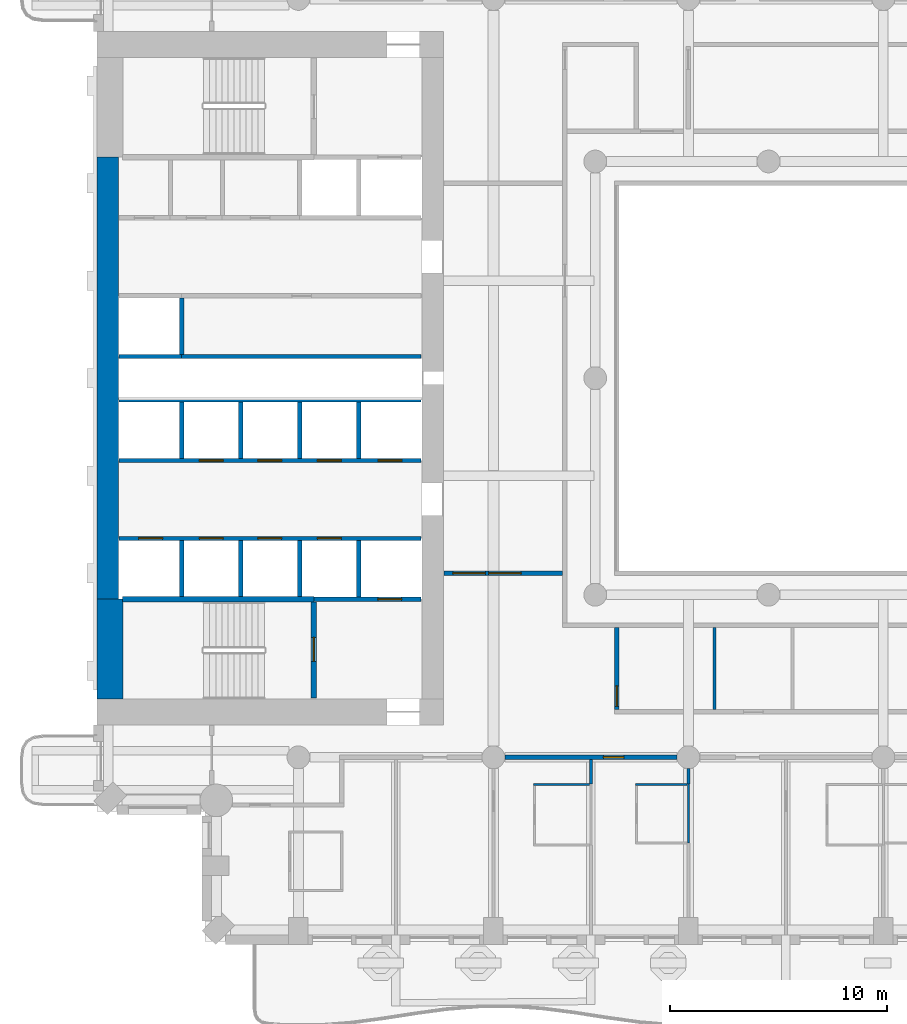
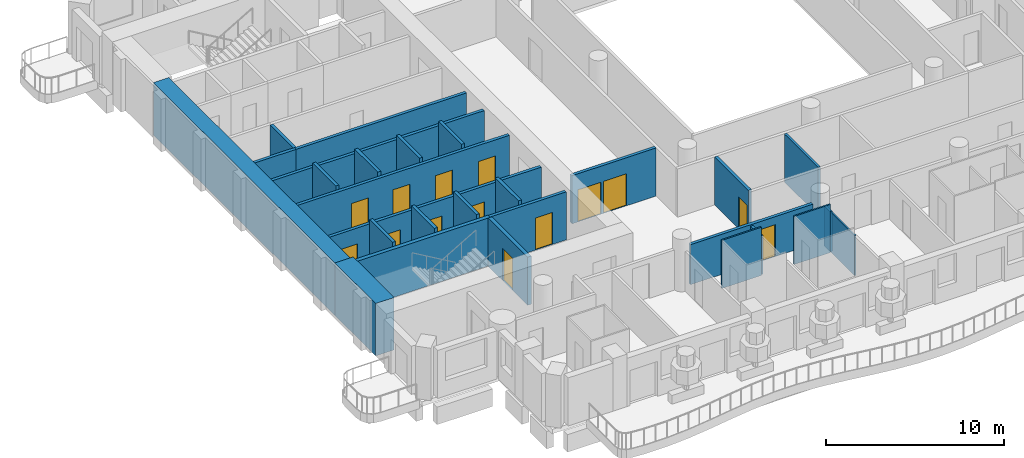
# One storey, part 4 of 20: 28 walls, 14 doors, 14 openings.
"""IFC4 building model written with IfcOpenShell, lengths in metres."""

import ifcopenshell
import ifcopenshell.guid

model = None  # the IFC model being written
_history = None  # IfcOwnerHistory: only IFC2X3 demands one
_inside = {}  # id of a spatial element -> (the spatial element, [elements in it])
_under = {}  # id of a project, library or spatial element -> (it, [spatial elements below it])
_declared = {}  # id of a project -> (the project, [libraries it declares])
_typed = {}  # id of a type object -> (the type object, [elements of that type])
_made_of = {}  # id of a material, layer set ... -> (it, [elements and type objects made of it])


def new_model(schema):
    """Start an empty IFC model of exactly this schema.

    Asked for "IFC4X3", IfcOpenShell would pick the latest addendum, in which some entities
    have other attributes; the version numbers below select the first issue.
    IFC2X3 requires an IfcOwnerHistory on every rooted entity: one is made here for all.
    """
    global model, _history
    if schema == "IFC4X3":
        model = ifcopenshell.file(schema_version=(4, 3, 0, 0))
    else:
        model = ifcopenshell.file(schema=schema)
    _inside.clear()
    _under.clear()
    _declared.clear()
    _typed.clear()
    _made_of.clear()
    _history = None
    if model.schema == "IFC2X3":
        org = make("IfcOrganization", Name="unknown")
        user = make(
            "IfcPersonAndOrganization",
            ThePerson=make("IfcPerson", FamilyName="unknown"),
            TheOrganization=org,
        )
        app = make(
            "IfcApplication",
            ApplicationDeveloper=org,
            Version="unknown",
            ApplicationFullName="unknown",
            ApplicationIdentifier="unknown",
        )
        _history = make(
            "IfcOwnerHistory",
            OwningUser=user,
            OwningApplication=app,
            ChangeAction="ADDED",
            CreationDate=0,
        )
    return model


def make(cls, **values):
    """One entity of the class cls with the attributes given. An attribute that is None is left unset."""
    return model.create_entity(
        cls, **{name: value for name, value in values.items() if value is not None}
    )


def rooted(cls, **values):
    """An entity with a GlobalId (a new one), such as an element, a storey or a relation."""
    return make(cls, GlobalId=ifcopenshell.guid.new(), OwnerHistory=_history, **values)


def si_unit(unit_type, name, prefix=None):
    """IfcSIUnit, for example si_unit("LENGTHUNIT", "METRE", prefix="MILLI")."""
    return make("IfcSIUnit", UnitType=unit_type, Prefix=prefix, Name=name)


def assignment(units):
    """IfcUnitAssignment: the units of a project."""
    return None if units is None else make("IfcUnitAssignment", Units=units)


def point(xyz):
    """IfcCartesianPoint."""
    return None if xyz is None else make("IfcCartesianPoint", Coordinates=xyz)


def direction(xyz):
    """IfcDirection."""
    return None if xyz is None else make("IfcDirection", DirectionRatios=xyz)


def frame(location, z_axis=None, x_axis=None):
    """IfcAxis2Placement3D, a coordinate frame: its origin and axes. An axis left out is left unset."""
    return make(
        "IfcAxis2Placement3D",
        Location=point(location),
        Axis=direction(z_axis),
        RefDirection=direction(x_axis),
    )


def frame_2d(location, x_axis=None):
    """IfcAxis2Placement2D, a coordinate frame in the plane: its origin and x axis."""
    return make(
        "IfcAxis2Placement2D", Location=point(location), RefDirection=direction(x_axis)
    )


def origin():
    """The frame at (0, 0, 0) with its axes left unset."""
    return frame((0.0, 0.0, 0.0))


def place(relative_to, where):
    """IfcLocalPlacement: puts the frame where relative to a parent placement (None: the world)."""
    return make(
        "IfcLocalPlacement", PlacementRelTo=relative_to, RelativePlacement=where
    )


def context(
    kind, dimensions, precision=None, world=None, true_north=None, identifier=None
):
    """IfcGeometricRepresentationContext, for example the 3D "Model" context."""
    return make(
        "IfcGeometricRepresentationContext",
        ContextIdentifier=identifier,
        ContextType=kind,
        CoordinateSpaceDimension=dimensions,
        Precision=precision,
        WorldCoordinateSystem=world,
        TrueNorth=true_north,
    )


def subcontext(parent, identifier, kind, view, scale=None):
    """IfcGeometricRepresentationSubContext, for example "Body" below "Model"."""
    return make(
        "IfcGeometricRepresentationSubContext",
        ContextIdentifier=identifier,
        ContextType=kind,
        ParentContext=parent,
        TargetScale=scale,
        TargetView=view,
    )


def project(units=None, contexts=None):
    """IfcProject with its units and contexts."""
    return rooted(
        "IfcProject",
        Name="project",
        RepresentationContexts=contexts,
        UnitsInContext=assignment(units),
    )


def spatial(cls, under=None, at=None, **own):
    """A site, building, storey or space (cls), placed at a placement, below another one or the project."""
    s = rooted(cls, ObjectPlacement=at, **own)
    if under is not None:
        _under.setdefault(under.id(), (under, []))[1].append(s)
    return s


def profile(cls, at=None, kind="AREA", **sizes):
    """A parametric profile (cls). Its sizes go by their IFC names, for example OverallWidth=200.0."""
    return make(cls, ProfileType=kind, Position=at, **sizes)


def rectangle(**sizes):
    """IfcRectangleProfileDef."""
    return profile("IfcRectangleProfileDef", **sizes)


def extrude(swept, where, along, depth):
    """IfcExtrudedAreaSolid: the profile swept, set in the frame where, extruded along a direction by depth."""
    return make(
        "IfcExtrudedAreaSolid",
        SweptArea=swept,
        Position=where,
        ExtrudedDirection=direction(along),
        Depth=depth,
    )


def shape(context_of_items, identifier, shape_type, items):
    """IfcShapeRepresentation: the items that make up one representation, for example the "Body"."""
    return make(
        "IfcShapeRepresentation",
        ContextOfItems=context_of_items,
        RepresentationIdentifier=identifier,
        RepresentationType=shape_type,
        Items=items,
    )


def material(Name=None, Category=None):
    """IfcMaterial."""
    return make("IfcMaterial", Name=Name, Category=Category)


def layer(
    of_material, thickness, ventilated=None, Name=None, Category=None, Priority=None
):
    """IfcMaterialLayer: one layer of a wall or slab, of a material (None: an air gap)."""
    return make(
        "IfcMaterialLayer",
        Material=of_material,
        LayerThickness=thickness,
        IsVentilated=ventilated,
        Name=Name,
        Category=Category,
        Priority=Priority,
    )


def layer_set(layers, Name=None):
    """IfcMaterialLayerSet."""
    return make("IfcMaterialLayerSet", MaterialLayers=layers, LayerSetName=Name)


def made_of(thing, what):
    """Note that an element or type object is made of a material, layer set ...; save() writes the relation."""
    if what is not None:
        _made_of.setdefault(what.id(), (what, []))[1].append(thing)
    return thing


def type_object(cls, material=None, **own):
    """A type object (cls), such as IfcWallType, which elements share."""
    return made_of(rooted(cls, **own), material)


def element(
    cls,
    number,
    at=None,
    inside=None,
    cuts=None,
    type_object=None,
    material=None,
    context=None,
    identifier="Body",
    shape_type=None,
    held_by="IfcProductDefinitionShape",
    body=None,
    shapes=None,
    **own,
):
    """One element of the class cls, such as IfcWall. Its Tag is "e" and its number.

    at: its placement. inside: the storey or other place that contains it. cuts: it is an
    opening in that element (IfcRelVoidsElement). A single representation is given by context,
    identifier, shape_type and body (its items); several are given by shapes. held_by: the class
    of the entity that holds the representations. save() writes the other relations.
    """
    e = rooted(cls, Tag="e%d" % number, ObjectPlacement=at, **own)
    if body is not None:
        shapes = [shape(context, identifier, shape_type, body)]
    if shapes is not None:
        e.Representation = make(held_by, Representations=shapes)
    if inside is not None:
        _inside.setdefault(inside.id(), (inside, []))[1].append(e)
    if cuts is not None:
        rooted(
            "IfcRelVoidsElement", RelatingBuildingElement=cuts, RelatedOpeningElement=e
        )
    if type_object is not None:
        _typed.setdefault(type_object.id(), (type_object, []))[1].append(e)
    return made_of(e, material)


def fill(opening, filler):
    """IfcRelFillsElement: the door or window that sits in an opening."""
    return rooted(
        "IfcRelFillsElement",
        RelatingOpeningElement=opening,
        RelatedBuildingElement=filler,
    )


def aggregate(whole, parts):
    """IfcRelAggregates: a whole, such as a stair, and the parts it consists of."""
    return rooted("IfcRelAggregates", RelatingObject=whole, RelatedObjects=parts)


def save(model, path):
    """Write the relations noted so far, then the file.

    IfcRelAggregates (storeys below a building ...), IfcRelContainedInSpatialStructure (elements
    in a storey), IfcRelDefinesByType, IfcRelAssociatesMaterial and IfcRelDeclares: one each for
    every whole, place, type object, material and project.
    """
    for whole, parts in _under.values():
        aggregate(whole, parts)
    for where, things in _inside.values():
        rooted(
            "IfcRelContainedInSpatialStructure",
            RelatedElements=things,
            RelatingStructure=where,
        )
    for kind, things in _typed.values():
        rooted("IfcRelDefinesByType", RelatedObjects=things, RelatingType=kind)
    for what, things in _made_of.values():
        rooted("IfcRelAssociatesMaterial", RelatedObjects=things, RelatingMaterial=what)
    for by, libraries in _declared.values():
        rooted("IfcRelDeclares", RelatingContext=by, RelatedDefinitions=libraries)
    model.write(path)


model = new_model("IFC4")

# Units and contexts
model_context = context("Model", 3, precision=1e-05, world=origin(), true_north=direction((0.0, 1.0)))
body_context = subcontext(model_context, "Body", "Model", "MODEL_VIEW")
ifc_project = project(units=[si_unit("LENGTHUNIT", "METRE"), si_unit("AREAUNIT", "SQUARE_METRE"), si_unit("VOLUMEUNIT", "CUBIC_METRE"), si_unit("PLANEANGLEUNIT", "RADIAN"), si_unit("MASSUNIT", "GRAM", prefix="KILO")], contexts=[model_context])

# Site, building, storey
site_placement = place(None, origin())
site = spatial("IfcSite", under=ifc_project, at=site_placement, CompositionType="ELEMENT")
building_placement = place(site_placement, origin())
building = spatial("IfcBuilding", under=site, at=building_placement, Name="Cypress Arch Tower", CompositionType="ELEMENT")
storey_placement = place(building_placement, frame((0.0, 0.0, 116.699951171875)))
storey = spatial("IfcBuildingStorey", under=building, at=storey_placement, Name="L24", CompositionType="ELEMENT", Elevation=116.699951171875)

# Walls
ifc_material_1 = material(Name="Concrete C80/95", Category="concrete")
ifc_layer_1 = layer(ifc_material_1, 1.0)
ifc_layer_set_1 = layer_set([ifc_layer_1], Name="Core wall CW1000 C80/95")
wall_type_1 = type_object("IfcWallType", Name="Core wall CW1000 C80/95", PredefinedType="SHEAR", material=ifc_layer_set_1)
wall_1_placement = place(storey_placement, frame((-29.5, -10.199951171875, 0.0), z_axis=(0.0, 0.0, 1.0), x_axis=(0.0, 1.0, 0.0)))
element("IfcWall", 1, at=wall_1_placement, inside=storey, type_object=wall_type_1, Name="Core wall", PredefinedType="SHEAR", context=body_context, shape_type="SweptSolid", body=[
    extrude(rectangle(XDim=20.39990234375, YDim=1.0, at=frame_2d((10.199951171875, 0.0))), origin(), (0.0, 0.0, 1.0), 3.60009765625),
])
ifc_material_2 = material(Name="Concrete C80/95", Category="concrete")
ifc_layer_2 = layer(ifc_material_2, 1.199951171875)
ifc_layer_set_2 = layer_set([ifc_layer_2], Name="Core wall CW1200 C80/95")
wall_type_2 = type_object("IfcWallType", Name="Core wall CW1200 C80/95", PredefinedType="SHEAR", material=ifc_layer_set_2)
wall_2_placement = place(storey_placement, frame((-29.39990234375, -14.800048828125, 0.0), z_axis=(0.0, 0.0, 1.0), x_axis=(0.0, 1.0, 0.0)))
element("IfcWall", 2, at=wall_2_placement, inside=storey, type_object=wall_type_2, Name="Core wall", PredefinedType="SHEAR", context=body_context, shape_type="SweptSolid", body=[
    extrude(rectangle(XDim=4.60009765625, YDim=1.199951171875, at=frame_2d((2.300048828125, 0.0))), origin(), (0.0, 0.0, 1.0), 3.60009765625),
])

# Wall, opening, door
ifc_material_3 = material(Name="Concrete blockwork, plastered, rated", Category="masonry")
ifc_layer_3 = layer(ifc_material_3, 0.199951171875)
ifc_layer_set_3 = layer_set([ifc_layer_3], Name="Corridor wall FW200")
wall_type_3 = type_object("IfcWallType", Name="Corridor wall FW200", PredefinedType="PARTITIONING", material=ifc_layer_set_3)
wall_3_placement = place(storey_placement, frame((-11.175048828125, -17.5, 0.0), z_axis=(0.0, 0.0, 1.0), x_axis=(1.0, 0.0, 0.0)))
wall_3 = element("IfcWall", 3, at=wall_3_placement, inside=storey, type_object=wall_type_3, Name="Corridor wall", PredefinedType="PARTITIONING", context=body_context, shape_type="SweptSolid", body=[
    extrude(rectangle(XDim=7.949951171875, YDim=0.199951171875, at=frame_2d((3.97509765625, 0.0))), origin(), (0.0, 0.0, 1.0), 2.75),
])
opening_1_placement = place(wall_3_placement, frame((4.550048828125, 0.0, 0.0)))
opening_1 = element("IfcOpeningElement", 4, at=opening_1_placement, cuts=wall_3, Name="Opening D02", PredefinedType="OPENING", context=body_context, shape_type="SweptSolid", body=[
    extrude(rectangle(XDim=0.949951171875, YDim=2.199951171875, at=frame_2d((0.47509765625, 1.10009765625))), frame((0.0, 0.10986328125, 0.0), z_axis=(0.0, -1.0, 0.0), x_axis=(1.0, 0.0, 0.0)), (0.0, 0.0, 1.0), 0.219970703125),
])
ifc_material_4 = material(Name="Timber flush door, fire resisting", Category="wood")
door_type_1 = type_object("IfcDoorType", Name="Room door D02 950x2200", OperationType="SINGLE_SWING_LEFT", PredefinedType="DOOR", material=ifc_material_4)
door_1_placement = place(opening_1_placement, origin())
door_1 = element("IfcDoor", 5, at=door_1_placement, inside=storey, type_object=door_type_1, Name="Room door", OperationType="SINGLE_SWING_RIGHT", OverallHeight=2.199951171875, OverallWidth=0.949951171875, PredefinedType="DOOR", context=body_context, shape_type="SweptSolid", body=[
    extrude(rectangle(XDim=0.949951171875, YDim=2.199951171875, at=frame_2d((0.47509765625, 1.10009765625))), frame((0.0, 0.02490234375, 0.0), z_axis=(0.0, -1.0, 0.0), x_axis=(1.0, 0.0, 0.0)), (0.0, 0.0, 1.0), 0.050048828125),
])
fill(opening_1, door_1)

# Wall, openings, doors
wall_4_placement = place(storey_placement, frame((-13.969970703125, -9.0, 0.0), z_axis=(0.0, 0.0, 1.0), x_axis=(1.0, 0.0, 0.0)))
wall_4 = element("IfcWall", 6, at=wall_4_placement, inside=storey, type_object=wall_type_3, Name="Corridor wall", PredefinedType="PARTITIONING", context=body_context, shape_type="SweptSolid", body=[
    extrude(rectangle(XDim=5.469970703125, YDim=0.199951171875, at=frame_2d((2.73486328125, 0.0))), origin(), (0.0, 0.0, 1.0), 3.300048828125),
])
opening_2_placement = place(wall_4_placement, frame((0.39990234375, 0.0, 0.0)))
opening_2 = element("IfcOpeningElement", 7, at=opening_2_placement, cuts=wall_4, Name="Opening D04", PredefinedType="OPENING", context=body_context, shape_type="SweptSolid", body=[
    extrude(rectangle(XDim=1.5, YDim=2.199951171875, at=frame_2d((0.75, 1.10009765625))), frame((0.0, 0.10986328125, 0.0), z_axis=(0.0, -1.0, 0.0), x_axis=(1.0, 0.0, 0.0)), (0.0, 0.0, 1.0), 0.219970703125),
])
opening_3_placement = place(wall_4_placement, frame((2.050048828125, 0.0, 0.0)))
opening_3 = element("IfcOpeningElement", 8, at=opening_3_placement, cuts=wall_4, Name="Opening D04", PredefinedType="OPENING", context=body_context, shape_type="SweptSolid", body=[
    extrude(rectangle(XDim=1.5, YDim=2.199951171875, at=frame_2d((0.75, 1.10009765625))), frame((0.0, 0.10986328125, 0.0), z_axis=(0.0, -1.0, 0.0), x_axis=(1.0, 0.0, 0.0)), (0.0, 0.0, 1.0), 0.219970703125),
])
ifc_material_5 = material(Name="Timber double door", Category="wood")
door_type_2 = type_object("IfcDoorType", Name="Double door D04 1500x2200", OperationType="DOUBLE_DOOR_SINGLE_SWING", PredefinedType="DOOR", material=ifc_material_5)
door_2_placement = place(opening_2_placement, origin())
door_2 = element("IfcDoor", 9, at=door_2_placement, inside=storey, type_object=door_type_2, Name="Double door", OperationType="DOUBLE_DOOR_SINGLE_SWING", OverallHeight=2.199951171875, OverallWidth=1.5, PredefinedType="DOOR", context=body_context, shape_type="SweptSolid", body=[
    extrude(rectangle(XDim=1.5, YDim=2.199951171875, at=frame_2d((0.75, 1.10009765625))), frame((0.0, 0.02490234375, 0.0), z_axis=(0.0, -1.0, 0.0), x_axis=(1.0, 0.0, 0.0)), (0.0, 0.0, 1.0), 0.050048828125),
])
fill(opening_2, door_2)
door_3_placement = place(opening_3_placement, origin())
door_3 = element("IfcDoor", 10, at=door_3_placement, inside=storey, type_object=door_type_2, Name="Double door", OperationType="DOUBLE_DOOR_SINGLE_SWING", OverallHeight=2.199951171875, OverallWidth=1.5, PredefinedType="DOOR", context=body_context, shape_type="SweptSolid", body=[
    extrude(rectangle(XDim=1.5, YDim=2.199951171875, at=frame_2d((0.75, 1.10009765625))), frame((0.0, 0.02490234375, 0.0), z_axis=(0.0, -1.0, 0.0), x_axis=(1.0, 0.0, 0.0)), (0.0, 0.0, 1.0), 0.050048828125),
])
fill(opening_3, door_3)

# Wall, opening, door
wall_5_placement = place(storey_placement, frame((-6.0, -15.300048828125, 0.0), z_axis=(0.0, 0.0, 1.0), x_axis=(0.0, 1.0, 0.0)))
wall_5 = element("IfcWall", 11, at=wall_5_placement, inside=storey, type_object=wall_type_3, Name="Corridor wall", PredefinedType="PARTITIONING", context=body_context, shape_type="SweptSolid", body=[
    extrude(rectangle(XDim=3.800048828125, YDim=0.199951171875, at=frame_2d((1.89990234375, 0.0))), origin(), (0.0, 0.0, 1.0), 3.300048828125),
])
opening_4_placement = place(wall_5_placement, frame((0.14990234375, 0.0, 0.0)))
opening_4 = element("IfcOpeningElement", 12, at=opening_4_placement, cuts=wall_5, Name="Opening D02", PredefinedType="OPENING", context=body_context, shape_type="SweptSolid", body=[
    extrude(rectangle(XDim=0.949951171875, YDim=2.199951171875, at=frame_2d((0.47509765625, 1.10009765625))), frame((0.0, 0.10986328125, 0.0), z_axis=(0.0, -1.0, 0.0), x_axis=(1.0, 0.0, 0.0)), (0.0, 0.0, 1.0), 0.219970703125),
])
door_4_placement = place(opening_4_placement, origin())
door_4 = element("IfcDoor", 13, at=door_4_placement, inside=storey, type_object=door_type_1, Name="Room door", OperationType="SINGLE_SWING_RIGHT", OverallHeight=2.199951171875, OverallWidth=0.949951171875, PredefinedType="DOOR", context=body_context, shape_type="SweptSolid", body=[
    extrude(rectangle(XDim=0.949951171875, YDim=2.199951171875, at=frame_2d((0.47509765625, 1.10009765625))), frame((0.0, 0.02490234375, 0.0), z_axis=(0.0, -1.0, 0.0), x_axis=(1.0, 0.0, 0.0)), (0.0, 0.0, 1.0), 0.050048828125),
])
fill(opening_4, door_4)

# Walls
ifc_material_6 = material(Name="Blockwork, plastered both sides", Category="masonry")
ifc_layer_4 = layer(ifc_material_6, 0.14990234375)
ifc_layer_set_4 = layer_set([ifc_layer_4], Name="Partition PW150")
wall_type_4 = type_object("IfcWallType", Name="Partition PW150", PredefinedType="PARTITIONING", material=ifc_layer_set_4)
wall_6_placement = place(storey_placement, frame((-7.199951171875, -18.72998046875, 0.0), z_axis=(0.0, 0.0, 1.0), x_axis=(0.0, 1.0, 0.0)))
element("IfcWall", 14, at=wall_6_placement, inside=storey, type_object=wall_type_4, Name="Partition", PredefinedType="PARTITIONING", context=body_context, shape_type="SweptSolid", body=[
    extrude(rectangle(XDim=1.1298828125, YDim=0.14990234375, at=frame_2d((0.56494140625, 0.0))), origin(), (0.0, 0.0, 1.0), 2.650146484375),
])
wall_7_placement = place(storey_placement, frame((-2.699951171875, -18.72998046875, 0.0), z_axis=(0.0, 0.0, 1.0), x_axis=(0.0, 1.0, 0.0)))
element("IfcWall", 15, at=wall_7_placement, inside=storey, type_object=wall_type_4, Name="Partition", PredefinedType="PARTITIONING", context=body_context, shape_type="SweptSolid", body=[
    extrude(rectangle(XDim=0.705078125, YDim=0.14990234375, at=frame_2d((0.3525390625, 0.0))), origin(), (0.0, 0.0, 1.0), 2.75),
])
wall_8_placement = place(storey_placement, frame((-1.5, -15.300048828125, 0.0), z_axis=(0.0, 0.0, 1.0), x_axis=(0.0, 1.0, 0.0)))
element("IfcWall", 16, at=wall_8_placement, inside=storey, type_object=wall_type_4, Name="Partition", PredefinedType="PARTITIONING", context=body_context, shape_type="SweptSolid", body=[
    extrude(rectangle(XDim=3.800048828125, YDim=0.14990234375, at=frame_2d((1.89990234375, 0.0))), origin(), (0.0, 0.0, 1.0), 3.300048828125),
])
ifc_material_7 = material(Name="Reinforced blockwork, plastered, rated", Category="masonry")
ifc_layer_5 = layer(ifc_material_7, 0.199951171875)
ifc_layer_set_5 = layer_set([ifc_layer_5], Name="Plant and riser wall PL200")
wall_type_5 = type_object("IfcWallType", Name="Plant and riser wall PL200", PredefinedType="PARTITIONING", material=ifc_layer_set_5)
wall_9_placement = place(storey_placement, frame((-26.10009765625, 1.0, 0.0), z_axis=(0.0, 0.0, 1.0), x_axis=(1.0, 0.0, 0.0)))
element("IfcWall", 17, at=wall_9_placement, inside=storey, type_object=wall_type_5, Name="Plant and riser wall", PredefinedType="PARTITIONING", context=body_context, shape_type="SweptSolid", body=[
    extrude(rectangle(XDim=11.070068359375, YDim=0.199951171875, at=frame_2d((5.53515625, 0.0))), origin(), (0.0, 0.0, 1.0), 3.300048828125),
])

# Wall, openings, doors
ifc_material_8 = material(Name="Concrete C50/60", Category="concrete")
ifc_layer_6 = layer(ifc_material_8, 0.199951171875)
ifc_layer_set_6 = layer_set([ifc_layer_6], Name="Shaft wall SH200")
wall_type_6 = type_object("IfcWallType", Name="Shaft wall SH200", PredefinedType="SHEAR", material=ifc_layer_set_6)
wall_10_placement = place(storey_placement, frame((-28.969970703125, -7.39990234375, 0.0), z_axis=(0.0, 0.0, 1.0), x_axis=(1.0, 0.0, 0.0)))
wall_10 = element("IfcWall", 18, at=wall_10_placement, inside=storey, type_object=wall_type_6, Name="Shaft wall", PredefinedType="SHEAR", context=body_context, shape_type="SweptSolid", body=[
    extrude(rectangle(XDim=13.93994140625, YDim=0.199951171875, at=frame_2d((6.969970703125, 0.0))), origin(), (0.0, 0.0, 1.0), 3.300048828125),
])
opening_5_placement = place(wall_10_placement, frame((0.89990234375, 0.0, 0.0)))
opening_5 = element("IfcOpeningElement", 19, at=opening_5_placement, cuts=wall_10, Name="Opening LD-LR1", PredefinedType="OPENING", context=body_context, shape_type="SweptSolid", body=[
    extrude(rectangle(XDim=1.10009765625, YDim=2.199951171875, at=frame_2d((0.550048828125, 1.10009765625))), frame((0.0, 0.10986328125, 0.0), z_axis=(0.0, -1.0, 0.0), x_axis=(1.0, 0.0, 0.0)), (0.0, 0.0, 1.0), 0.219970703125),
])
opening_6_placement = place(wall_10_placement, frame((3.699951171875, 0.0, 0.0)))
opening_6 = element("IfcOpeningElement", 20, at=opening_6_placement, cuts=wall_10, Name="Opening LD-LR2", PredefinedType="OPENING", context=body_context, shape_type="SweptSolid", body=[
    extrude(rectangle(XDim=1.10009765625, YDim=2.199951171875, at=frame_2d((0.550048828125, 1.10009765625))), frame((0.0, 0.10986328125, 0.0), z_axis=(0.0, -1.0, 0.0), x_axis=(1.0, 0.0, 0.0)), (0.0, 0.0, 1.0), 0.219970703125),
])
opening_7_placement = place(wall_10_placement, frame((6.39990234375, 0.0, 0.0)))
opening_7 = element("IfcOpeningElement", 21, at=opening_7_placement, cuts=wall_10, Name="Opening LD-LR3", PredefinedType="OPENING", context=body_context, shape_type="SweptSolid", body=[
    extrude(rectangle(XDim=1.10009765625, YDim=2.199951171875, at=frame_2d((0.550048828125, 1.10009765625))), frame((0.0, 0.10986328125, 0.0), z_axis=(0.0, -1.0, 0.0), x_axis=(1.0, 0.0, 0.0)), (0.0, 0.0, 1.0), 0.219970703125),
])
opening_8_placement = place(wall_10_placement, frame((9.14990234375, 0.0, 0.0)))
opening_8 = element("IfcOpeningElement", 22, at=opening_8_placement, cuts=wall_10, Name="Opening LD-LR4", PredefinedType="OPENING", context=body_context, shape_type="SweptSolid", body=[
    extrude(rectangle(XDim=1.10009765625, YDim=2.199951171875, at=frame_2d((0.550048828125, 1.10009765625))), frame((0.0, 0.10986328125, 0.0), z_axis=(0.0, -1.0, 0.0), x_axis=(1.0, 0.0, 0.0)), (0.0, 0.0, 1.0), 0.219970703125),
])
ifc_material_9 = material(Name="Stainless steel centre-opening landing door, rated", Category="steel")
door_type_3 = type_object("IfcDoorType", Name="Lift landing door LD 1100x2200", OperationType="DOUBLE_DOOR_SLIDING", PredefinedType="DOOR", material=ifc_material_9)
door_5_placement = place(opening_5_placement, origin())
door_5 = element("IfcDoor", 23, at=door_5_placement, inside=storey, type_object=door_type_3, Name="Lift landing doors LR1", OperationType="DOUBLE_DOOR_SLIDING", OverallHeight=2.199951171875, OverallWidth=1.10009765625, PredefinedType="DOOR", context=body_context, shape_type="SweptSolid", body=[
    extrude(rectangle(XDim=1.10009765625, YDim=2.199951171875, at=frame_2d((0.550048828125, 1.10009765625))), frame((0.0, 0.02490234375, 0.0), z_axis=(0.0, -1.0, 0.0), x_axis=(1.0, 0.0, 0.0)), (0.0, 0.0, 1.0), 0.050048828125),
])
fill(opening_5, door_5)
door_6_placement = place(opening_6_placement, origin())
door_6 = element("IfcDoor", 24, at=door_6_placement, inside=storey, type_object=door_type_3, Name="Lift landing doors LR2", OperationType="DOUBLE_DOOR_SLIDING", OverallHeight=2.199951171875, OverallWidth=1.10009765625, PredefinedType="DOOR", context=body_context, shape_type="SweptSolid", body=[
    extrude(rectangle(XDim=1.10009765625, YDim=2.199951171875, at=frame_2d((0.550048828125, 1.10009765625))), frame((0.0, 0.02490234375, 0.0), z_axis=(0.0, -1.0, 0.0), x_axis=(1.0, 0.0, 0.0)), (0.0, 0.0, 1.0), 0.050048828125),
])
fill(opening_6, door_6)
door_7_placement = place(opening_7_placement, origin())
door_7 = element("IfcDoor", 25, at=door_7_placement, inside=storey, type_object=door_type_3, Name="Lift landing doors LR3", OperationType="DOUBLE_DOOR_SLIDING", OverallHeight=2.199951171875, OverallWidth=1.10009765625, PredefinedType="DOOR", context=body_context, shape_type="SweptSolid", body=[
    extrude(rectangle(XDim=1.10009765625, YDim=2.199951171875, at=frame_2d((0.550048828125, 1.10009765625))), frame((0.0, 0.02490234375, 0.0), z_axis=(0.0, -1.0, 0.0), x_axis=(1.0, 0.0, 0.0)), (0.0, 0.0, 1.0), 0.050048828125),
])
fill(opening_7, door_7)
door_8_placement = place(opening_8_placement, origin())
door_8 = element("IfcDoor", 26, at=door_8_placement, inside=storey, type_object=door_type_3, Name="Lift landing doors LR4", OperationType="DOUBLE_DOOR_SLIDING", OverallHeight=2.199951171875, OverallWidth=1.10009765625, PredefinedType="DOOR", context=body_context, shape_type="SweptSolid", body=[
    extrude(rectangle(XDim=1.10009765625, YDim=2.199951171875, at=frame_2d((0.550048828125, 1.10009765625))), frame((0.0, 0.02490234375, 0.0), z_axis=(0.0, -1.0, 0.0), x_axis=(1.0, 0.0, 0.0)), (0.0, 0.0, 1.0), 0.050048828125),
])
fill(opening_8, door_8)

wall_11_placement = place(storey_placement, frame((-28.969970703125, -3.800048828125, 0.0), z_axis=(0.0, 0.0, 1.0), x_axis=(1.0, 0.0, 0.0)))
wall_11 = element("IfcWall", 27, at=wall_11_placement, inside=storey, type_object=wall_type_6, Name="Shaft wall", PredefinedType="SHEAR", context=body_context, shape_type="SweptSolid", body=[
    extrude(rectangle(XDim=13.93994140625, YDim=0.199951171875, at=frame_2d((6.969970703125, 0.0))), origin(), (0.0, 0.0, 1.0), 3.300048828125),
])
opening_9_placement = place(wall_11_placement, frame((3.699951171875, 0.0, 0.0)))
opening_9 = element("IfcOpeningElement", 28, at=opening_9_placement, cuts=wall_11, Name="Opening LD-LR5", PredefinedType="OPENING", context=body_context, shape_type="SweptSolid", body=[
    extrude(rectangle(XDim=1.10009765625, YDim=2.199951171875, at=frame_2d((0.550048828125, 1.10009765625))), frame((0.0, 0.10986328125, 0.0), z_axis=(0.0, -1.0, 0.0), x_axis=(1.0, 0.0, 0.0)), (0.0, 0.0, 1.0), 0.219970703125),
])
opening_10_placement = place(wall_11_placement, frame((6.39990234375, 0.0, 0.0)))
opening_10 = element("IfcOpeningElement", 29, at=opening_10_placement, cuts=wall_11, Name="Opening LD-LR6", PredefinedType="OPENING", context=body_context, shape_type="SweptSolid", body=[
    extrude(rectangle(XDim=1.10009765625, YDim=2.199951171875, at=frame_2d((0.550048828125, 1.10009765625))), frame((0.0, 0.10986328125, 0.0), z_axis=(0.0, -1.0, 0.0), x_axis=(1.0, 0.0, 0.0)), (0.0, 0.0, 1.0), 0.219970703125),
])
opening_11_placement = place(wall_11_placement, frame((9.14990234375, 0.0, 0.0)))
opening_11 = element("IfcOpeningElement", 30, at=opening_11_placement, cuts=wall_11, Name="Opening LD-LR7", PredefinedType="OPENING", context=body_context, shape_type="SweptSolid", body=[
    extrude(rectangle(XDim=1.10009765625, YDim=2.199951171875, at=frame_2d((0.550048828125, 1.10009765625))), frame((0.0, 0.10986328125, 0.0), z_axis=(0.0, -1.0, 0.0), x_axis=(1.0, 0.0, 0.0)), (0.0, 0.0, 1.0), 0.219970703125),
])
opening_12_placement = place(wall_11_placement, frame((11.949951171875, 0.0, 0.0)))
opening_12 = element("IfcOpeningElement", 31, at=opening_12_placement, cuts=wall_11, Name="Opening LD-LR8", PredefinedType="OPENING", context=body_context, shape_type="SweptSolid", body=[
    extrude(rectangle(XDim=1.10009765625, YDim=2.199951171875, at=frame_2d((0.550048828125, 1.10009765625))), frame((0.0, 0.10986328125, 0.0), z_axis=(0.0, -1.0, 0.0), x_axis=(1.0, 0.0, 0.0)), (0.0, 0.0, 1.0), 0.219970703125),
])
door_9_placement = place(opening_9_placement, origin())
door_9 = element("IfcDoor", 32, at=door_9_placement, inside=storey, type_object=door_type_3, Name="Lift landing doors LR5", OperationType="DOUBLE_DOOR_SLIDING", OverallHeight=2.199951171875, OverallWidth=1.10009765625, PredefinedType="DOOR", context=body_context, shape_type="SweptSolid", body=[
    extrude(rectangle(XDim=1.10009765625, YDim=2.199951171875, at=frame_2d((0.550048828125, 1.10009765625))), frame((0.0, 0.02490234375, 0.0), z_axis=(0.0, -1.0, 0.0), x_axis=(1.0, 0.0, 0.0)), (0.0, 0.0, 1.0), 0.050048828125),
])
fill(opening_9, door_9)
door_10_placement = place(opening_10_placement, origin())
door_10 = element("IfcDoor", 33, at=door_10_placement, inside=storey, type_object=door_type_3, Name="Lift landing doors LR6", OperationType="DOUBLE_DOOR_SLIDING", OverallHeight=2.199951171875, OverallWidth=1.10009765625, PredefinedType="DOOR", context=body_context, shape_type="SweptSolid", body=[
    extrude(rectangle(XDim=1.10009765625, YDim=2.199951171875, at=frame_2d((0.550048828125, 1.10009765625))), frame((0.0, 0.02490234375, 0.0), z_axis=(0.0, -1.0, 0.0), x_axis=(1.0, 0.0, 0.0)), (0.0, 0.0, 1.0), 0.050048828125),
])
fill(opening_10, door_10)
door_11_placement = place(opening_11_placement, origin())
door_11 = element("IfcDoor", 34, at=door_11_placement, inside=storey, type_object=door_type_3, Name="Lift landing doors LR7", OperationType="DOUBLE_DOOR_SLIDING", OverallHeight=2.199951171875, OverallWidth=1.10009765625, PredefinedType="DOOR", context=body_context, shape_type="SweptSolid", body=[
    extrude(rectangle(XDim=1.10009765625, YDim=2.199951171875, at=frame_2d((0.550048828125, 1.10009765625))), frame((0.0, 0.02490234375, 0.0), z_axis=(0.0, -1.0, 0.0), x_axis=(1.0, 0.0, 0.0)), (0.0, 0.0, 1.0), 0.050048828125),
])
fill(opening_11, door_11)
door_12_placement = place(opening_12_placement, origin())
door_12 = element("IfcDoor", 35, at=door_12_placement, inside=storey, type_object=door_type_3, Name="Lift landing doors LR8", OperationType="DOUBLE_DOOR_SLIDING", OverallHeight=2.199951171875, OverallWidth=1.10009765625, PredefinedType="DOOR", context=body_context, shape_type="SweptSolid", body=[
    extrude(rectangle(XDim=1.10009765625, YDim=2.199951171875, at=frame_2d((0.550048828125, 1.10009765625))), frame((0.0, 0.02490234375, 0.0), z_axis=(0.0, -1.0, 0.0), x_axis=(1.0, 0.0, 0.0)), (0.0, 0.0, 1.0), 0.050048828125),
])
fill(opening_12, door_12)

# Walls
wall_12_placement = place(storey_placement, frame((-28.969970703125, -1.0, 0.0), z_axis=(0.0, 0.0, 1.0), x_axis=(1.0, 0.0, 0.0)))
element("IfcWall", 36, at=wall_12_placement, inside=storey, type_object=wall_type_6, Name="Shaft wall", PredefinedType="SHEAR", context=body_context, shape_type="SweptSolid", body=[
    extrude(rectangle(XDim=13.93994140625, YDim=0.199951171875, at=frame_2d((6.969970703125, 0.0))), origin(), (0.0, 0.0, 1.0), 3.300048828125),
])
wall_13_placement = place(storey_placement, frame((-28.969970703125, 1.0, 0.0), z_axis=(0.0, 0.0, 1.0), x_axis=(1.0, 0.0, 0.0)))
element("IfcWall", 37, at=wall_13_placement, inside=storey, type_object=wall_type_6, Name="Shaft wall", PredefinedType="SHEAR", context=body_context, shape_type="SweptSolid", body=[
    extrude(rectangle(XDim=2.869873046875, YDim=0.199951171875, at=frame_2d((1.43505859375, 0.0))), origin(), (0.0, 0.0, 1.0), 3.300048828125),
])
wall_14_placement = place(storey_placement, frame((-26.080078125, -10.074951171875, 0.0), z_axis=(0.0, 0.0, 1.0), x_axis=(0.0, 1.0, 0.0)))
element("IfcWall", 38, at=wall_14_placement, inside=storey, type_object=wall_type_6, Name="Shaft wall", PredefinedType="SHEAR", context=body_context, shape_type="SweptSolid", body=[
    extrude(rectangle(XDim=2.574951171875, YDim=0.199951171875, at=frame_2d((1.28759765625, 0.0))), origin(), (0.0, 0.0, 1.0), 3.60009765625),
])
wall_15_placement = place(storey_placement, frame((-26.080078125, -3.699951171875, 0.0), z_axis=(0.0, 0.0, 1.0), x_axis=(0.0, 1.0, 0.0)))
element("IfcWall", 39, at=wall_15_placement, inside=storey, type_object=wall_type_6, Name="Shaft wall", PredefinedType="SHEAR", context=body_context, shape_type="SweptSolid", body=[
    extrude(rectangle(XDim=2.599853515625, YDim=0.199951171875, at=frame_2d((1.2998046875, 0.0))), origin(), (0.0, 0.0, 1.0), 3.60009765625),
])
wall_16_placement = place(storey_placement, frame((-26.080078125, 1.10009765625, 0.0), z_axis=(0.0, 0.0, 1.0), x_axis=(0.0, 1.0, 0.0)))
element("IfcWall", 40, at=wall_16_placement, inside=storey, type_object=wall_type_6, Name="Shaft wall", PredefinedType="SHEAR", context=body_context, shape_type="SweptSolid", body=[
    extrude(rectangle(XDim=2.599853515625, YDim=0.199951171875, at=frame_2d((1.2998046875, 0.0))), origin(), (0.0, 0.0, 1.0), 3.300048828125),
])
wall_17_placement = place(storey_placement, frame((-23.360107421875, -10.074951171875, 0.0), z_axis=(0.0, 0.0, 1.0), x_axis=(0.0, 1.0, 0.0)))
element("IfcWall", 41, at=wall_17_placement, inside=storey, type_object=wall_type_6, Name="Shaft wall", PredefinedType="SHEAR", context=body_context, shape_type="SweptSolid", body=[
    extrude(rectangle(XDim=2.574951171875, YDim=0.199951171875, at=frame_2d((1.28759765625, 0.0))), origin(), (0.0, 0.0, 1.0), 3.60009765625),
])
wall_18_placement = place(storey_placement, frame((-23.360107421875, -3.699951171875, 0.0), z_axis=(0.0, 0.0, 1.0), x_axis=(0.0, 1.0, 0.0)))
element("IfcWall", 42, at=wall_18_placement, inside=storey, type_object=wall_type_6, Name="Shaft wall", PredefinedType="SHEAR", context=body_context, shape_type="SweptSolid", body=[
    extrude(rectangle(XDim=2.599853515625, YDim=0.199951171875, at=frame_2d((1.2998046875, 0.0))), origin(), (0.0, 0.0, 1.0), 3.60009765625),
])
wall_19_placement = place(storey_placement, frame((-20.639892578125, -10.074951171875, 0.0), z_axis=(0.0, 0.0, 1.0), x_axis=(0.0, 1.0, 0.0)))
element("IfcWall", 43, at=wall_19_placement, inside=storey, type_object=wall_type_6, Name="Shaft wall", PredefinedType="SHEAR", context=body_context, shape_type="SweptSolid", body=[
    extrude(rectangle(XDim=2.574951171875, YDim=0.199951171875, at=frame_2d((1.28759765625, 0.0))), origin(), (0.0, 0.0, 1.0), 3.60009765625),
])
wall_20_placement = place(storey_placement, frame((-20.639892578125, -3.699951171875, 0.0), z_axis=(0.0, 0.0, 1.0), x_axis=(0.0, 1.0, 0.0)))
element("IfcWall", 44, at=wall_20_placement, inside=storey, type_object=wall_type_6, Name="Shaft wall", PredefinedType="SHEAR", context=body_context, shape_type="SweptSolid", body=[
    extrude(rectangle(XDim=2.599853515625, YDim=0.199951171875, at=frame_2d((1.2998046875, 0.0))), origin(), (0.0, 0.0, 1.0), 3.60009765625),
])

# Wall, opening, door
wall_21_placement = place(storey_placement, frame((-19.97998046875, -10.199951171875, 0.0), z_axis=(0.0, 0.0, 1.0), x_axis=(1.0, 0.0, 0.0)))
wall_21 = element("IfcWall", 45, at=wall_21_placement, inside=storey, type_object=wall_type_6, Name="Shaft wall", PredefinedType="SHEAR", context=body_context, shape_type="SweptSolid", body=[
    extrude(rectangle(XDim=4.949951171875, YDim=0.199951171875, at=frame_2d((2.47509765625, 0.0))), origin(), (0.0, 0.0, 1.0), 3.300048828125),
])
opening_13_placement = place(wall_21_placement, frame((2.949951171875, 0.0, 0.0)))
opening_13 = element("IfcOpeningElement", 46, at=opening_13_placement, cuts=wall_21, Name="Opening LD-FL1", PredefinedType="OPENING", context=body_context, shape_type="SweptSolid", body=[
    extrude(rectangle(XDim=1.10009765625, YDim=2.199951171875, at=frame_2d((0.550048828125, 1.10009765625))), frame((0.0, 0.10986328125, 0.0), z_axis=(0.0, -1.0, 0.0), x_axis=(1.0, 0.0, 0.0)), (0.0, 0.0, 1.0), 0.219970703125),
])
door_13_placement = place(opening_13_placement, origin())
door_13 = element("IfcDoor", 47, at=door_13_placement, inside=storey, type_object=door_type_3, Name="Lift landing doors FL1", OperationType="DOUBLE_DOOR_SLIDING", OverallHeight=2.199951171875, OverallWidth=1.10009765625, PredefinedType="DOOR", context=body_context, shape_type="SweptSolid", body=[
    extrude(rectangle(XDim=1.10009765625, YDim=2.199951171875, at=frame_2d((0.550048828125, 1.10009765625))), frame((0.0, 0.02490234375, 0.0), z_axis=(0.0, -1.0, 0.0), x_axis=(1.0, 0.0, 0.0)), (0.0, 0.0, 1.0), 0.050048828125),
])
fill(opening_13, door_13)

# Walls
wall_22_placement = place(storey_placement, frame((-17.919921875, -10.10009765625, 0.0), z_axis=(0.0, 0.0, 1.0), x_axis=(0.0, 1.0, 0.0)))
element("IfcWall", 48, at=wall_22_placement, inside=storey, type_object=wall_type_6, Name="Shaft wall", PredefinedType="SHEAR", context=body_context, shape_type="SweptSolid", body=[
    extrude(rectangle(XDim=2.60009765625, YDim=0.199951171875, at=frame_2d((1.300048828125, 0.0))), origin(), (0.0, 0.0, 1.0), 3.60009765625),
])
wall_23_placement = place(storey_placement, frame((-17.919921875, -3.699951171875, 0.0), z_axis=(0.0, 0.0, 1.0), x_axis=(0.0, 1.0, 0.0)))
element("IfcWall", 49, at=wall_23_placement, inside=storey, type_object=wall_type_6, Name="Shaft wall", PredefinedType="SHEAR", context=body_context, shape_type="SweptSolid", body=[
    extrude(rectangle(XDim=2.599853515625, YDim=0.199951171875, at=frame_2d((1.2998046875, 0.0))), origin(), (0.0, 0.0, 1.0), 3.60009765625),
])
ifc_material_10 = material(Name="Concrete C50/60", Category="concrete")
ifc_layer_7 = layer(ifc_material_10, 0.25)
ifc_layer_set_7 = layer_set([ifc_layer_7], Name="Stair enclosure wall SW250")
wall_type_7 = type_object("IfcWallType", Name="Stair enclosure wall SW250", PredefinedType="SHEAR", material=ifc_layer_set_7)
wall_24_placement = place(storey_placement, frame((-28.81005859375, -10.199951171875, 0.0), z_axis=(0.0, 0.0, 1.0), x_axis=(1.0, 0.0, 0.0)))
element("IfcWall", 50, at=wall_24_placement, inside=storey, type_object=wall_type_7, Name="Stair enclosure wall", PredefinedType="SHEAR", context=body_context, shape_type="SweptSolid", body=[
    extrude(rectangle(XDim=8.830078125, YDim=0.25, at=frame_2d((4.4150390625, 0.0))), origin(), (0.0, 0.0, 1.0), 3.300048828125),
])

# Wall, opening, door
wall_25_placement = place(storey_placement, frame((-20.0, -14.77001953125, 0.0), z_axis=(0.0, 0.0, 1.0), x_axis=(0.0, 1.0, 0.0)))
wall_25 = element("IfcWall", 51, at=wall_25_placement, inside=storey, type_object=wall_type_7, Name="Stair enclosure wall", PredefinedType="SHEAR", context=body_context, shape_type="SweptSolid", body=[
    extrude(rectangle(XDim=4.445068359375, YDim=0.25, at=frame_2d((2.22265625, 0.0))), origin(), (0.0, 0.0, 1.0), 3.300048828125),
])
opening_14_placement = place(wall_25_placement, frame((1.699951171875, 0.0, 0.0)))
opening_14 = element("IfcOpeningElement", 52, at=opening_14_placement, cuts=wall_25, Name="Opening D06", PredefinedType="OPENING", context=body_context, shape_type="SweptSolid", body=[
    extrude(rectangle(XDim=1.10009765625, YDim=2.199951171875, at=frame_2d((0.550048828125, 1.10009765625))), frame((0.0, 0.135009765625, 0.0), z_axis=(0.0, -1.0, 0.0), x_axis=(1.0, 0.0, 0.0)), (0.0, 0.0, 1.0), 0.27001953125),
])
ifc_material_11 = material(Name="Steel door, fire resisting, panic bar", Category="steel")
door_type_4 = type_object("IfcDoorType", Name="Stair door D06 1100x2200", OperationType="SINGLE_SWING_LEFT", PredefinedType="DOOR", material=ifc_material_11)
door_14_placement = place(opening_14_placement, origin())
door_14 = element("IfcDoor", 53, at=door_14_placement, inside=storey, type_object=door_type_4, Name="Stair door", OperationType="SINGLE_SWING_RIGHT", OverallHeight=2.199951171875, OverallWidth=1.10009765625, PredefinedType="DOOR", context=body_context, shape_type="SweptSolid", body=[
    extrude(rectangle(XDim=1.10009765625, YDim=2.199951171875, at=frame_2d((0.550048828125, 1.10009765625))), frame((0.0, 0.02490234375, 0.0), z_axis=(0.0, -1.0, 0.0), x_axis=(1.0, 0.0, 0.0)), (0.0, 0.0, 1.0), 0.050048828125),
])
fill(opening_14, door_14)

# Walls
ifc_material_12 = material(Name="Moisture resistant board on steel studs, tiled", Category="steel")
ifc_layer_8 = layer(ifc_material_12, 0.10009765625)
ifc_layer_set_8 = layer_set([ifc_layer_8], Name="Wet wall PW100")
wall_type_8 = type_object("IfcWallType", Name="Wet wall PW100", PredefinedType="PARTITIONING", material=ifc_layer_set_8)
wall_26_placement = place(storey_placement, frame((-9.845947265625, -18.75, 0.0), z_axis=(0.0, 0.0, 1.0), x_axis=(1.0, 0.0, 0.0)))
element("IfcWall", 54, at=wall_26_placement, inside=storey, type_object=wall_type_8, Name="Wet wall", PredefinedType="PARTITIONING", context=body_context, shape_type="SweptSolid", body=[
    extrude(rectangle(XDim=2.571044921875, YDim=0.10009765625, at=frame_2d((1.28564453125, 0.0))), origin(), (0.0, 0.0, 1.0), 3.300048828125),
])
wall_27_placement = place(storey_placement, frame((-5.14599609375, -18.75, 0.0), z_axis=(0.0, 0.0, 1.0), x_axis=(1.0, 0.0, 0.0)))
element("IfcWall", 55, at=wall_27_placement, inside=storey, type_object=wall_type_8, Name="Wet wall", PredefinedType="PARTITIONING", context=body_context, shape_type="SweptSolid", body=[
    extrude(rectangle(XDim=2.37109375, YDim=0.10009765625, at=frame_2d((1.185546875, 0.0))), origin(), (0.0, 0.0, 1.0), 3.300048828125),
])
wall_28_placement = place(storey_placement, frame((-2.699951171875, -21.449951171875, 0.0), z_axis=(0.0, 0.0, 1.0), x_axis=(0.0, 1.0, 0.0)))
element("IfcWall", 56, at=wall_28_placement, inside=storey, type_object=wall_type_8, Name="Wet wall", PredefinedType="PARTITIONING", context=body_context, shape_type="SweptSolid", body=[
    extrude(rectangle(XDim=2.719970703125, YDim=0.10009765625, at=frame_2d((1.35986328125, 0.0))), origin(), (0.0, 0.0, 1.0), 2.75),
])

save(model, "model.ifc")
